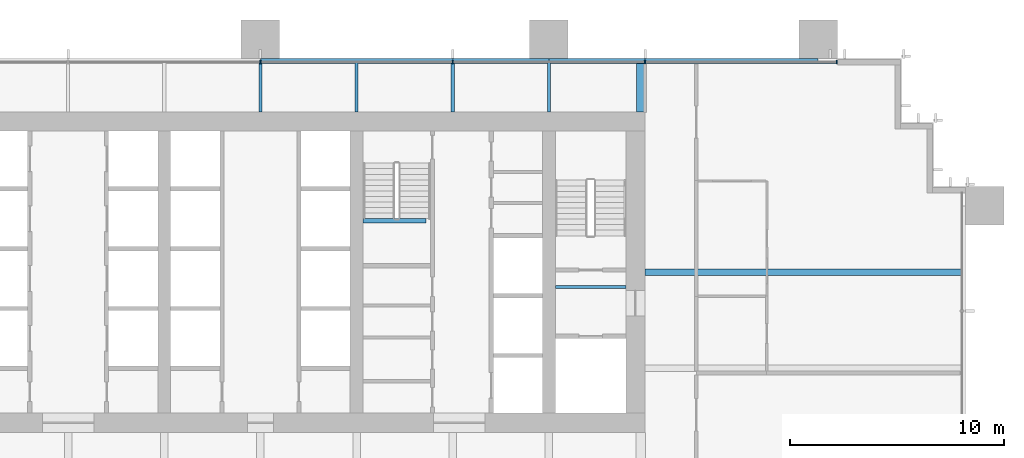
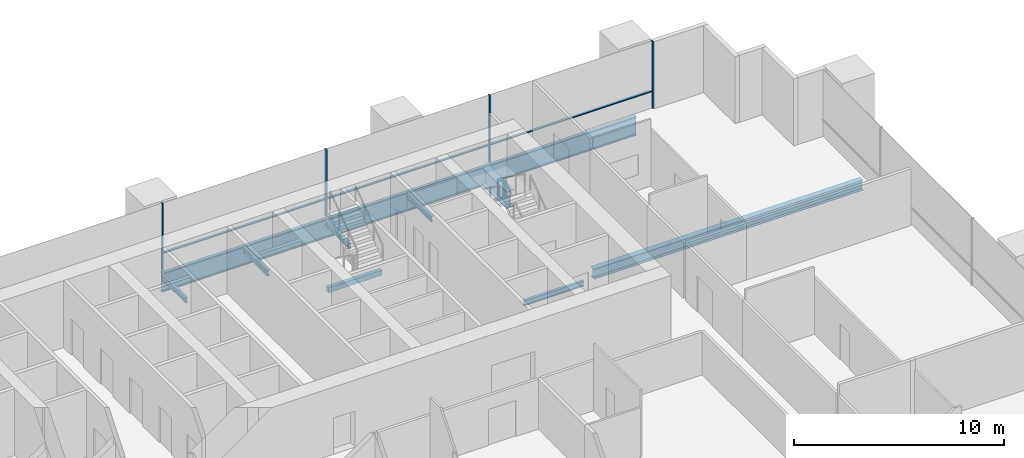
# One storey, part 8 of 17: 10 beams, 7 members, 1 element without a shape of its own.
"""IFC4 building model written with IfcOpenShell, lengths in metres."""

from ifc_helpers import new_model, si_unit, direction, frame, origin, origin_2d, place, context, subcontext, project, spatial, rectangle, i_section, extrude, material, material_profile, profile_set, type_object, element, aggregate, save


model = new_model("IFC4")

# Units and contexts
model_context = context("Model", 3, precision=1e-05, world=origin(), true_north=direction((0.0, 1.0)))
body_context = subcontext(model_context, "Body", "Model", "MODEL_VIEW")
ifc_project = project(units=[si_unit("LENGTHUNIT", "METRE"), si_unit("AREAUNIT", "SQUARE_METRE"), si_unit("VOLUMEUNIT", "CUBIC_METRE"), si_unit("PLANEANGLEUNIT", "RADIAN"), si_unit("MASSUNIT", "GRAM", prefix="KILO")], contexts=[model_context])

# Site, building, storey
site_placement = place(None, origin())
site = spatial("IfcSite", under=ifc_project, at=site_placement, CompositionType="ELEMENT")
building_placement = place(site_placement, origin())
building = spatial("IfcBuilding", under=site, at=building_placement, Name="Rattan Terrace Tower", CompositionType="ELEMENT")
storey_placement = place(building_placement, frame((0.0, 0.0, 61.10009765625)))
storey = spatial("IfcBuildingStorey", under=building, at=storey_placement, Name="L13", CompositionType="ELEMENT", Elevation=61.10009765625)

# Beam
ifc_material_1 = material(Name="Concrete C40/50", Category="concrete")
ifc_material_profile_1 = material_profile(ifc_material_1, rectangle(XDim=0.199951171875, YDim=0.300048828125, at=origin_2d()), Name="RC 200x300")
ifc_profile_set_1 = profile_set([ifc_material_profile_1], Name="Concrete C40/50")
beam_type_1 = type_object("IfcBeamType", Name="Core landing beam RC 200x300", PredefinedType="BEAM", material=ifc_profile_set_1)
beam_1_placement = place(storey_placement, frame((4.800048828125, 2.39990234375, 1.699951171875), z_axis=(1.0, 0.0, 0.0), x_axis=(0.0, 1.0, 0.0)))
element("IfcBeam", 1, at=beam_1_placement, inside=storey, type_object=beam_type_1, Name="st-S3-L13 landing 1 edge beam", PredefinedType="BEAM", context=body_context, shape_type="SweptSolid", body=[
    extrude(rectangle(XDim=0.199951171875, YDim=0.300048828125, at=origin_2d()), origin(), (0.0, 0.0, 1.0), 2.949951171875),
])

# Curtain wall, members
ifc_material_2 = material(Name="Aluminium and glass", Category="aluminium")
curtain_wall_type = type_object("IfcCurtainWallType", Name="Facade Unitised Curtain Wall", PredefinedType="NOTDEFINED", material=ifc_material_2)
curtain_wall_placement = place(storey_placement, origin())
curtain_wall = element("IfcCurtainWall", 2, at=curtain_wall_placement, inside=storey, type_object=curtain_wall_type, Name="Curtain wall L13-2", PredefinedType="NOTDEFINED")
ifc_material_3 = material(Name="Aluminium", Category="aluminium")
ifc_material_profile_2 = material_profile(ifc_material_3, rectangle(XDim=0.06005859375, YDim=0.159912109375, at=origin_2d()), Name="Aluminium 60x160")
ifc_profile_set_2 = profile_set([ifc_material_profile_2], Name="Aluminium")
member_type_1 = type_object("IfcMemberType", Name="Facade CW Mullion 60x160", PredefinedType="MULLION", material=ifc_profile_set_2)
member_1_placement = place(storey_placement, frame((26.969970703125, 9.830078125, 0.0), z_axis=(0.0, 0.0, 1.0), x_axis=(-1.0, 0.0, 0.0)))
member_1 = element("IfcMember", 3, at=member_1_placement, type_object=member_type_1, Name="Mullion cwl-L13-002.1", PredefinedType="MULLION", context=body_context, shape_type="SweptSolid", body=[
    extrude(rectangle(XDim=0.06005859375, YDim=0.159912109375, at=origin_2d()), origin(), (0.0, 0.0, 1.0), 3.89990234375),
])
member_2_placement = place(storey_placement, frame((18.0, 9.830078125, 0.0), z_axis=(0.0, 0.0, 1.0), x_axis=(-1.0, 0.0, 0.0)))
member_2 = element("IfcMember", 4, at=member_2_placement, type_object=member_type_1, Name="Mullion cwl-L13-002.2", PredefinedType="MULLION", context=body_context, shape_type="SweptSolid", body=[
    extrude(rectangle(XDim=0.06005859375, YDim=0.159912109375, at=origin_2d()), origin(), (0.0, 0.0, 1.0), 3.89990234375),
])
member_3_placement = place(storey_placement, frame((9.0, 9.830078125, 0.0), z_axis=(0.0, 0.0, 1.0), x_axis=(-1.0, 0.0, 0.0)))
member_3 = element("IfcMember", 5, at=member_3_placement, type_object=member_type_1, Name="Mullion cwl-L13-002.3", PredefinedType="MULLION", context=body_context, shape_type="SweptSolid", body=[
    extrude(rectangle(XDim=0.06005859375, YDim=0.159912109375, at=origin_2d()), origin(), (0.0, 0.0, 1.0), 3.89990234375),
])
member_4_placement = place(storey_placement, frame((0.0, 9.830078125, 0.0), z_axis=(0.0, 0.0, 1.0), x_axis=(-1.0, 0.0, 0.0)))
member_4 = element("IfcMember", 6, at=member_4_placement, type_object=member_type_1, Name="Mullion cwl-L13-002.4", PredefinedType="MULLION", context=body_context, shape_type="SweptSolid", body=[
    extrude(rectangle(XDim=0.06005859375, YDim=0.159912109375, at=origin_2d()), origin(), (0.0, 0.0, 1.0), 3.89990234375),
])
ifc_material_4 = material(Name="Aluminium", Category="aluminium")
ifc_material_profile_3 = material_profile(ifc_material_4, rectangle(XDim=0.1201171875, YDim=0.06005859375, at=origin_2d()), Name="Aluminium 120x60")
ifc_profile_set_3 = profile_set([ifc_material_profile_3], Name="Aluminium")
member_type_2 = type_object("IfcMemberType", Name="Facade CW Transom 120x60", PredefinedType="USERDEFINED", material=ifc_profile_set_3)
member_5_placement = place(storey_placement, frame((26.93994140625, 9.830078125, 1.0), z_axis=(-1.0, 0.0, 0.0), x_axis=(0.0, -1.0, 0.0)))
member_5 = element("IfcMember", 7, at=member_5_placement, type_object=member_type_2, Name="Transom cwl-L13-002.1", ObjectType="TRANSOM", PredefinedType="USERDEFINED", context=body_context, shape_type="SweptSolid", body=[
    extrude(rectangle(XDim=0.1201171875, YDim=0.06005859375, at=origin_2d()), origin(), (0.0, 0.0, 1.0), 8.909912109375),
])
member_6_placement = place(storey_placement, frame((17.969970703125, 9.830078125, 1.0), z_axis=(-1.0, 0.0, 0.0), x_axis=(0.0, -1.0, 0.0)))
member_6 = element("IfcMember", 8, at=member_6_placement, type_object=member_type_2, Name="Transom cwl-L13-002.2", ObjectType="TRANSOM", PredefinedType="USERDEFINED", context=body_context, shape_type="SweptSolid", body=[
    extrude(rectangle(XDim=0.1201171875, YDim=0.06005859375, at=origin_2d()), origin(), (0.0, 0.0, 1.0), 8.93994140625),
])
member_7_placement = place(storey_placement, frame((8.969970703125, 9.830078125, 1.0), z_axis=(-1.0, 0.0, 0.0), x_axis=(0.0, -1.0, 0.0)))
member_7 = element("IfcMember", 9, at=member_7_placement, type_object=member_type_2, Name="Transom cwl-L13-002.3", ObjectType="TRANSOM", PredefinedType="USERDEFINED", context=body_context, shape_type="SweptSolid", body=[
    extrude(rectangle(XDim=0.1201171875, YDim=0.06005859375, at=origin_2d()), origin(), (0.0, 0.0, 1.0), 8.93994140625),
])
aggregate(curtain_wall, [member_1, member_2, member_3, member_4, member_5, member_6, member_7])

# Beams
ifc_material_5 = material(Name="Steel S460", Category="steel")
ifc_material_profile_4 = material_profile(ifc_material_5, i_section(OverallWidth=0.39990234375, OverallDepth=1.0, WebThickness=0.01806640625, FlangeThickness=0.044921875, at=origin_2d()), Name="PG 1000x400-18-45")
ifc_profile_set_4 = profile_set([ifc_material_profile_4], Name="Steel S460")
beam_type_2 = type_object("IfcBeamType", Name="Frame core girder PG 1000x400-18-45", PredefinedType="BEAM", material=ifc_profile_set_4)
beam_2_placement = place(storey_placement, frame((17.800048828125, 7.5, -0.7001953125), z_axis=(0.0, 1.0, 0.0), x_axis=(-1.0, 0.0, 0.0)))
element("IfcBeam", 10, at=beam_2_placement, inside=storey, type_object=beam_type_2, Name="gdr-L13-016", PredefinedType="BEAM", context=body_context, shape_type="SweptSolid", body=[
    extrude(i_section(OverallWidth=0.39990234375, OverallDepth=1.0, WebThickness=0.01806640625, FlangeThickness=0.044921875, at=origin_2d()), origin(), (0.0, 0.0, 1.0), 2.320068359375),
])
ifc_material_6 = material(Name="Steel S460", Category="steel")
ifc_material_profile_5 = material_profile(ifc_material_6, i_section(OverallWidth=0.179931640625, OverallDepth=1.10009765625, WebThickness=0.01611328125, FlangeThickness=0.050048828125, at=origin_2d()), Name="PG 1100x180-16-50")
ifc_profile_set_5 = profile_set([ifc_material_profile_5], Name="Steel S460")
beam_type_3 = type_object("IfcBeamType", Name="Frame edge girder PG 1100x180-16-50", PredefinedType="SPANDREL", material=ifc_profile_set_5)
beam_3_placement = place(storey_placement, frame((13.5, 9.909912109375, -0.75), z_axis=(-1.0, 0.0, 0.0), x_axis=(0.0, -1.0, 0.0)))
element("IfcBeam", 11, at=beam_3_placement, inside=storey, type_object=beam_type_3, Name="gdr-L13-011", PredefinedType="SPANDREL", context=body_context, shape_type="SweptSolid", body=[
    extrude(i_section(OverallWidth=0.179931640625, OverallDepth=1.10009765625, WebThickness=0.01611328125, FlangeThickness=0.050048828125, at=origin_2d()), origin(), (0.0, 0.0, 1.0), 13.5),
])
beam_4_placement = place(storey_placement, frame((26.10009765625, 9.909912109375, -0.75), z_axis=(-1.0, 0.0, 0.0), x_axis=(0.0, -1.0, 0.0)))
element("IfcBeam", 12, at=beam_4_placement, inside=storey, type_object=beam_type_3, Name="gdr-L13-012", PredefinedType="SPANDREL", context=body_context, shape_type="SweptSolid", body=[
    extrude(i_section(OverallWidth=0.179931640625, OverallDepth=1.10009765625, WebThickness=0.01611328125, FlangeThickness=0.050048828125, at=origin_2d()), origin(), (0.0, 0.0, 1.0), 12.60009765625),
])
ifc_material_7 = material(Name="Steel S355", Category="steel")
ifc_material_profile_6 = material_profile(ifc_material_7, i_section(OverallWidth=0.300048828125, OverallDepth=0.60009765625, WebThickness=0.015380859375, FlangeThickness=0.030029296875, FilletRadius=0.027099609375, at=origin_2d()), Name="HE 600 B")
ifc_profile_set_6 = profile_set([ifc_material_profile_6], Name="Steel S355")
beam_type_4 = type_object("IfcBeamType", Name="Frame floor beam HE 600 B", PredefinedType="JOIST", material=ifc_profile_set_6)
beam_5_placement = place(storey_placement, frame((18.0, 0.0, -0.5), z_axis=(1.0, 0.0, 0.0), x_axis=(0.0, 1.0, 0.0)))
element("IfcBeam", 13, at=beam_5_placement, inside=storey, type_object=beam_type_4, Name="bm-L13-023", PredefinedType="JOIST", context=body_context, shape_type="SweptSolid", body=[
    extrude(i_section(OverallWidth=0.300048828125, OverallDepth=0.60009765625, WebThickness=0.015380859375, FlangeThickness=0.030029296875, FilletRadius=0.027099609375, at=origin_2d()), origin(), (0.0, 0.0, 1.0), 14.820068359375),
])
ifc_material_8 = material(Name="Steel S355", Category="steel")
ifc_material_profile_7 = material_profile(ifc_material_8, i_section(OverallWidth=0.14990234375, OverallDepth=0.300048828125, WebThickness=0.007080078125, FlangeThickness=0.0107421875, FilletRadius=0.014892578125, at=origin_2d()), Name="IPE 300")
ifc_profile_set_7 = profile_set([ifc_material_profile_7], Name="Steel S355")
beam_type_5 = type_object("IfcBeamType", Name="Frame floor beam IPE 300", PredefinedType="JOIST", material=ifc_profile_set_7)
beam_6_placement = place(storey_placement, frame((13.800048828125, -0.695068359375, -0.35009765625), z_axis=(1.0, 0.0, 0.0), x_axis=(0.0, 1.0, 0.0)))
element("IfcBeam", 14, at=beam_6_placement, inside=storey, type_object=beam_type_5, Name="bm-L13-002", PredefinedType="JOIST", context=body_context, shape_type="SweptSolid", body=[
    extrude(i_section(OverallWidth=0.14990234375, OverallDepth=0.300048828125, WebThickness=0.007080078125, FlangeThickness=0.0107421875, FilletRadius=0.014892578125, at=origin_2d()), origin(), (0.0, 0.0, 1.0), 3.300048828125),
])
for number, where, z_axis, x_axis, name in (
    (15, (0.0, 7.5, -0.35009765625), (0.0, 1.0, 0.0), (-1.0, 0.0, 0.0), "bm-L13-027"),
    (16, (4.5, 7.5, -0.35009765625), (0.0, 1.0, 0.0), (-1.0, 0.0, 0.0), "bm-L13-028"),
    (17, (9.0, 7.5, -0.35009765625), (0.0, 1.0, 0.0), (-1.0, 0.0, 0.0), "bm-L13-029"),
    (18, (13.5, 7.5, -0.35009765625), (0.0, 1.0, 0.0), (-1.0, 0.0, 0.0), "bm-L13-030"),
):
    element("IfcBeam", number, at=place(storey_placement, frame(where, z_axis=z_axis, x_axis=x_axis)), inside=storey, type_object=beam_type_5, Name=name, PredefinedType="JOIST", context=body_context, shape_type="SweptSolid", body=[
        extrude(i_section(OverallWidth=0.14990234375, OverallDepth=0.300048828125, WebThickness=0.007080078125, FlangeThickness=0.0107421875, FilletRadius=0.014892578125, at=origin_2d()), origin(), (0.0, 0.0, 1.0), 2.320068359375),
    ])

save(model, "model.ifc")
